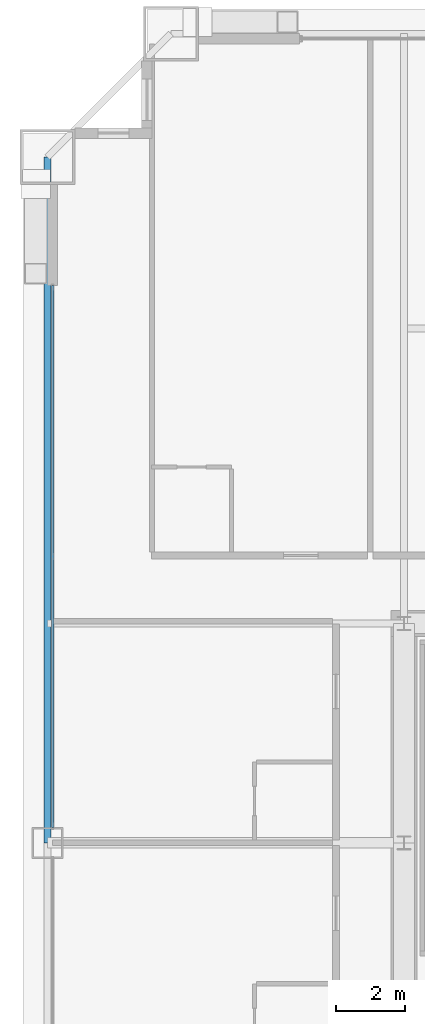
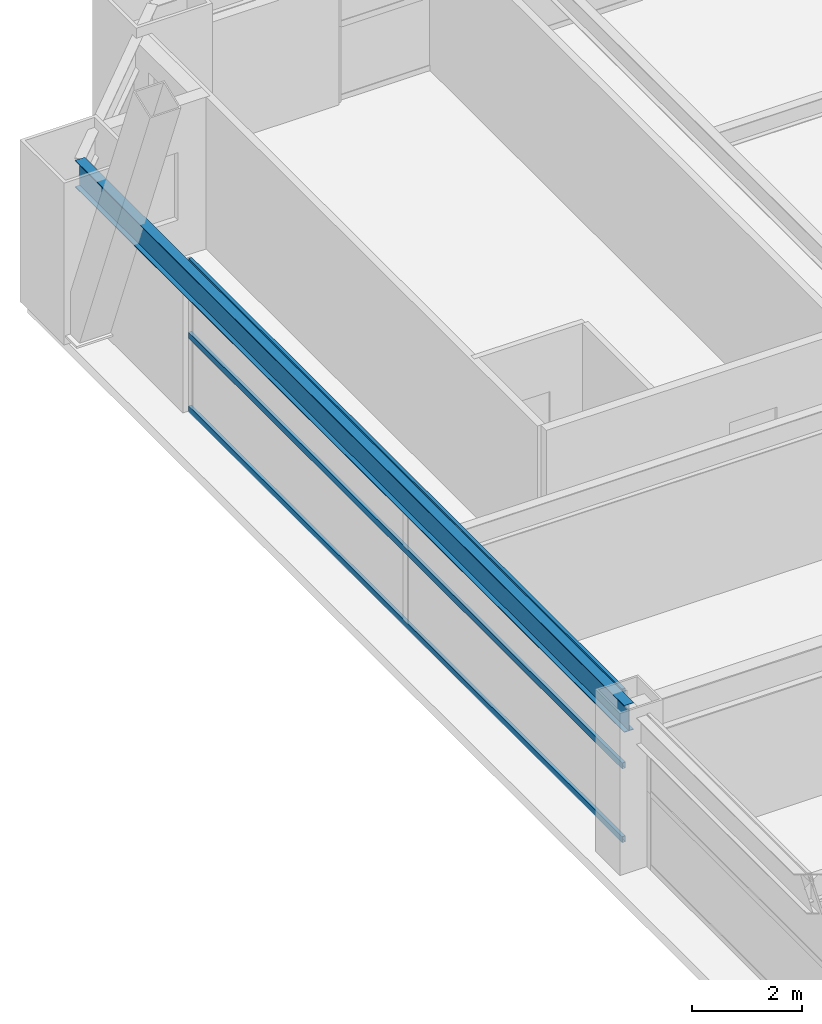
# One storey, part 25 of 43: 3 members, 1 beam, 1 element without a shape of its own.
"""IFC4 building model written with IfcOpenShell, lengths in metres."""

from ifc_helpers import new_model, si_unit, direction, frame, origin, origin_2d, place, context, subcontext, project, spatial, hollow_rectangle, i_section, extrude, source, transform, mapped, material, layer, layer_set, material_profile, profile_set, type_object, element, aggregate, save


model = new_model("IFC4")

# Units and contexts
model_context = context("Model", 3, precision=1e-05, world=origin(), true_north=direction((0.0, 1.0)))
body_context = subcontext(model_context, "Body", "Model", "MODEL_VIEW")
ifc_project = project(units=[si_unit("LENGTHUNIT", "METRE"), si_unit("AREAUNIT", "SQUARE_METRE"), si_unit("VOLUMEUNIT", "CUBIC_METRE"), si_unit("PLANEANGLEUNIT", "RADIAN"), si_unit("MASSUNIT", "GRAM", prefix="KILO"), si_unit("THERMODYNAMICTEMPERATUREUNIT", "KELVIN"), si_unit("POWERUNIT", "WATT")], contexts=[model_context])

# Site, building, storey
site_placement = place(None, origin())
site = spatial("IfcSite", under=ifc_project, at=site_placement, CompositionType="ELEMENT")
building_placement = place(site_placement, origin())
building = spatial("IfcBuilding", under=site, at=building_placement, Name="Yuzanri Waterfront Tower", CompositionType="ELEMENT")
storey_placement = place(building_placement, frame((0.0, 0.0, 138.0)))
storey = spatial("IfcBuildingStorey", under=building, at=storey_placement, Name="L36", CompositionType="ELEMENT", Elevation=138.0)

# Beam
ifc_material_1 = material(Name="Steel Q355B", Category="steel")
ifc_material_profile_1 = material_profile(ifc_material_1, i_section(OverallWidth=0.199951171875, OverallDepth=0.60009765625, WebThickness=0.010986328125, FlangeThickness=0.01708984375, at=origin_2d()), Name="HN 600x200x11x17")
ifc_profile_set_1 = profile_set([ifc_material_profile_1], Name="Steel Q355B")
beam_type = type_object("IfcBeamType", Name="Perimeter Spandrel Q355B HN 600x200", PredefinedType="SPANDREL", material=ifc_profile_set_1)
shared_shape_1 = source(origin(), body_context, "Body", "SweptSolid", [
    extrude(i_section(OverallWidth=0.199951171875, OverallDepth=0.60009765625, WebThickness=0.010986328125, FlangeThickness=0.01708984375, at=origin_2d()), origin(), (0.0, 0.0, 1.0), 20.0),
])
beam_placement = place(storey_placement, frame((13.39990234375, 45.800048828125, 3.080078125), z_axis=(0.0, -1.0, 0.0), x_axis=(1.0, 0.0, 0.0)))
element("IfcBeam", 1, at=beam_placement, inside=storey, type_object=beam_type, Name="L36 Perimeter Spandrel W3-W2", PredefinedType="SPANDREL", context=body_context, shape_type="MappedRepresentation", body=[
    mapped(shared_shape_1, transform((0.0, 0.0, 0.0), scale=1.0)),
])

# Curtain wall, members
ifc_material_2 = material(Name="Anodized Architectural Bronze", Category="metal")
ifc_layer = layer(ifc_material_2, 0.159912109375)
ifc_layer_set = layer_set([ifc_layer], Name="Anodized Architectural Bronze")
curtain_wall_type = type_object("IfcCurtainWallType", Name="Anodized Bronze Hotel Upper-Tier Solar-Control Unitized Curtain Wall 7800", PredefinedType="NOTDEFINED", material=ifc_layer_set)
curtain_wall_placement = place(storey_placement, origin())
curtain_wall = element("IfcCurtainWall", 2, at=curtain_wall_placement, inside=storey, type_object=curtain_wall_type, Name="L36 Curtain Wall CW-L36-WR", PredefinedType="NOTDEFINED")
ifc_material_3 = material(Name="Anodized Architectural Bronze", Category="metal")
ifc_material_profile_2 = material_profile(ifc_material_3, hollow_rectangle(XDim=0.070068359375, YDim=0.135009765625, WallThickness=0.00341796875, at=origin_2d()), Name="CWT 70x135")
ifc_profile_set_2 = profile_set([ifc_material_profile_2], Name="Anodized Architectural Bronze")
member_type = type_object("IfcMemberType", Name="Anodized Bronze Standard Curtain-Wall Transom 70x135", PredefinedType="USERDEFINED", material=ifc_profile_set_2)
shared_shape_2 = source(origin(), body_context, "Body", "SweptSolid", [
    extrude(hollow_rectangle(XDim=0.070068359375, YDim=0.135009765625, WallThickness=0.00341796875, at=origin_2d()), origin(), (0.0, 0.0, 1.0), 15.800048828125),
])
member_1_placement = place(storey_placement, frame((13.550048828125, 26.25, 0.050048828125), z_axis=(0.0, 1.0, 0.0), x_axis=(-1.0, 0.0, 0.0)))
member_1 = element("IfcMember", 3, at=member_1_placement, type_object=member_type, Name="CW-L36-WR Transom 1", ObjectType="TRANSOM", PredefinedType="USERDEFINED", context=body_context, shape_type="MappedRepresentation", body=[
    mapped(shared_shape_2, transform((0.0, 0.0, 0.0), scale=1.0)),
])
member_2_placement = place(storey_placement, frame((13.550048828125, 26.25, 1.68994140625), z_axis=(0.0, 1.0, 0.0), x_axis=(-1.0, 0.0, 0.0)))
member_2 = element("IfcMember", 4, at=member_2_placement, type_object=member_type, Name="CW-L36-WR Transom 2", ObjectType="TRANSOM", PredefinedType="USERDEFINED", context=body_context, shape_type="MappedRepresentation", body=[
    mapped(shared_shape_2, transform((0.0, 0.0, 0.0), scale=1.0)),
])
member_3_placement = place(storey_placement, frame((13.550048828125, 26.25, 3.330078125), z_axis=(0.0, 1.0, 0.0), x_axis=(-1.0, 0.0, 0.0)))
member_3 = element("IfcMember", 5, at=member_3_placement, type_object=member_type, Name="CW-L36-WR Transom 3", ObjectType="TRANSOM", PredefinedType="USERDEFINED", context=body_context, shape_type="MappedRepresentation", body=[
    mapped(shared_shape_2, transform((0.0, 0.0, 0.0), scale=1.0)),
])
aggregate(curtain_wall, [member_1, member_2, member_3])

save(model, "model.ifc")
